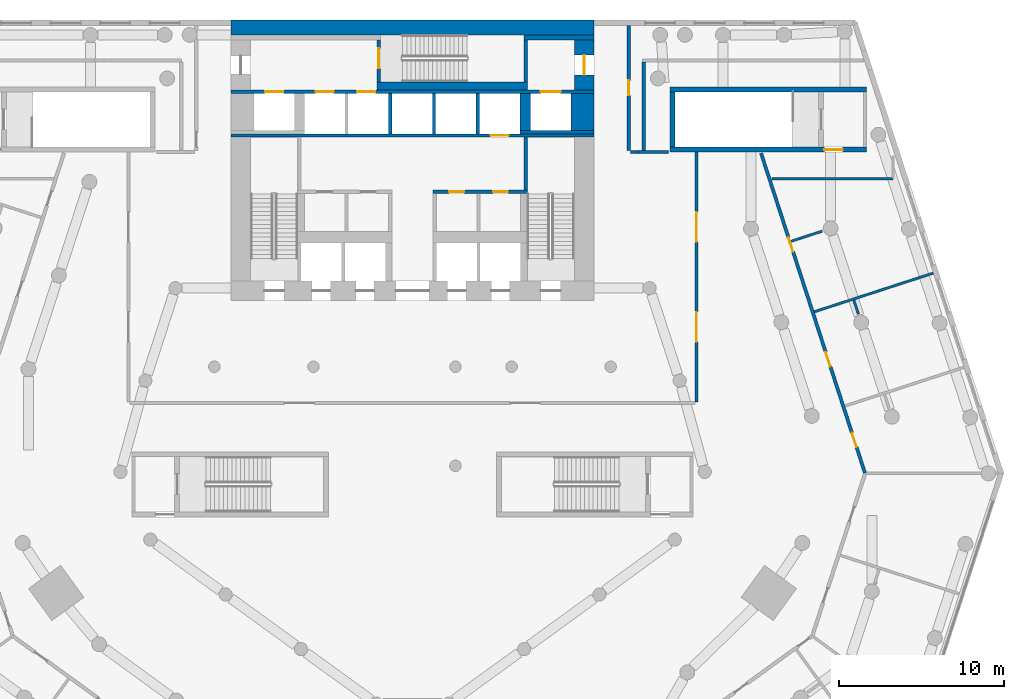
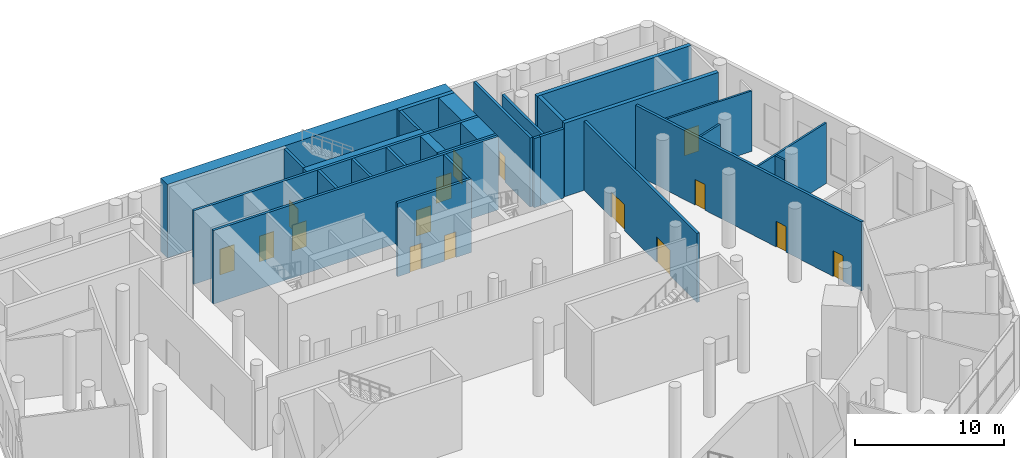
# One storey, part 14 of 19: 29 walls, 16 doors, 16 openings.
"""IFC4 building model written with IfcOpenShell, lengths in metres."""

from ifc_helpers import new_model, si_unit, direction, frame, frame_2d, origin, place, context, subcontext, project, spatial, rectangle, extrude, material, layer, layer_set, type_object, element, fill, save


model = new_model("IFC4")

# Units and contexts
model_context = context("Model", 3, precision=1e-05, world=origin(), true_north=direction((0.0, 1.0)))
body_context = subcontext(model_context, "Body", "Model", "MODEL_VIEW")
ifc_project = project(units=[si_unit("LENGTHUNIT", "METRE"), si_unit("AREAUNIT", "SQUARE_METRE"), si_unit("VOLUMEUNIT", "CUBIC_METRE"), si_unit("PLANEANGLEUNIT", "RADIAN"), si_unit("MASSUNIT", "GRAM", prefix="KILO")], contexts=[model_context])

# Site, building, storey
site_placement = place(None, origin())
site = spatial("IfcSite", under=ifc_project, at=site_placement, CompositionType="ELEMENT")
building_placement = place(site_placement, origin())
building = spatial("IfcBuilding", under=site, at=building_placement, Name="White Candle Pilgrim Tower", CompositionType="ELEMENT")
storey_placement = place(building_placement, frame((0.0, 0.0, 23.0)))
storey = spatial("IfcBuildingStorey", under=building, at=storey_placement, Name="L03", CompositionType="ELEMENT", Elevation=23.0)

# Wall
ifc_material_1 = material(Name="Autoclaved aerated block D500, plastered")
ifc_layer_1 = layer(ifc_material_1, 0.199951171875)
ifc_layer_set_1 = layer_set([ifc_layer_1], Name="Compartment wall 200 mm REI 240")
wall_type_1 = type_object("IfcWallType", Name="Compartment wall 200 mm REI 240", PredefinedType="PARTITIONING", material=ifc_layer_set_1)
wall_1_placement = place(storey_placement, frame((83.6669921875, 80.0, 0.0), z_axis=(0.0, 0.0, 1.0), x_axis=(1.0, 0.0, 0.0)))
element("IfcWall", 1, at=wall_1_placement, inside=storey, type_object=wall_type_1, Name="WL-L03-P067", PredefinedType="PARTITIONING", context=body_context, shape_type="SweptSolid", body=[
    extrude(rectangle(XDim=1.833984375, YDim=0.199951171875, at=frame_2d((0.9169921875, 0.0))), origin(), (0.0, 0.0, 1.0), 5.64990234375),
])

# Wall, openings, doors
wall_2_placement = place(storey_placement, frame((87.199951171875, 80.0, 0.0), z_axis=(0.0, 0.0, 1.0), x_axis=(0.0, -1.0, 0.0)))
wall_2 = element("IfcWall", 2, at=wall_2_placement, inside=storey, type_object=wall_type_1, Name="WL-L03-P033", PredefinedType="PARTITIONING", context=body_context, shape_type="SweptSolid", body=[
    extrude(rectangle(XDim=15.125, YDim=0.199951171875, at=frame_2d((7.5625, 0.0))), origin(), (0.0, 0.0, 1.0), 5.64990234375),
])
opening_1_placement = place(wall_2_placement, frame((3.637451171875, 0.0, 0.0)))
opening_1 = element("IfcOpeningElement", 3, at=opening_1_placement, cuts=wall_2, Name="Opening L03-120", PredefinedType="OPENING", context=body_context, shape_type="SweptSolid", body=[
    extrude(rectangle(XDim=1.800048828125, YDim=2.10009765625, at=frame_2d((0.89990234375, 1.050048828125))), frame((0.0, 0.10986328125, 0.0), z_axis=(0.0, -1.0, 0.0), x_axis=(1.0, 0.0, 0.0)), (0.0, 0.0, 1.0), 0.219970703125),
])
opening_2_placement = place(wall_2_placement, frame((9.6875, 0.0, 0.0)))
opening_2 = element("IfcOpeningElement", 4, at=opening_2_placement, cuts=wall_2, Name="Opening L03-121", PredefinedType="OPENING", context=body_context, shape_type="SweptSolid", body=[
    extrude(rectangle(XDim=1.800048828125, YDim=2.10009765625, at=frame_2d((0.89990234375, 1.050048828125))), frame((0.0, 0.10986328125, 0.0), z_axis=(0.0, -1.0, 0.0), x_axis=(1.0, 0.0, 0.0)), (0.0, 0.0, 1.0), 0.219970703125),
])
ifc_material_2 = material(Name="Steel door leaf", Category="steel")
door_type_1 = type_object("IfcDoorType", Name="Compartment door 1800 x 2100 EI 60", OperationType="NOTDEFINED", PredefinedType="DOOR", material=ifc_material_2)
door_1_placement = place(opening_1_placement, origin())
door_1 = element("IfcDoor", 5, at=door_1_placement, inside=storey, type_object=door_type_1, Name="Door L03-120", OperationType="DOUBLE_DOOR_SINGLE_SWING", OverallHeight=2.10009765625, OverallWidth=1.800048828125, PredefinedType="DOOR", context=body_context, shape_type="SweptSolid", body=[
    extrude(rectangle(XDim=1.800048828125, YDim=2.10009765625, at=frame_2d((0.89990234375, 1.050048828125))), frame((0.0, 0.02490234375, 0.0), z_axis=(0.0, -1.0, 0.0), x_axis=(1.0, 0.0, 0.0)), (0.0, 0.0, 1.0), 0.050048828125),
])
fill(opening_1, door_1)
door_2_placement = place(opening_2_placement, origin())
door_2 = element("IfcDoor", 6, at=door_2_placement, inside=storey, type_object=door_type_1, Name="Door L03-121", OperationType="DOUBLE_DOOR_SINGLE_SWING", OverallHeight=2.10009765625, OverallWidth=1.800048828125, PredefinedType="DOOR", context=body_context, shape_type="SweptSolid", body=[
    extrude(rectangle(XDim=1.800048828125, YDim=2.10009765625, at=frame_2d((0.89990234375, 1.050048828125))), frame((0.0, 0.02490234375, 0.0), z_axis=(0.0, -1.0, 0.0), x_axis=(1.0, 0.0, 0.0)), (0.0, 0.0, 1.0), 0.050048828125),
])
fill(opening_2, door_2)

# Wall
wall_3_placement = place(storey_placement, frame((84.0, 85.449951171875, 0.0), z_axis=(0.0, 0.0, 1.0), x_axis=(0.0, -1.0, 0.0)))
element("IfcWall", 7, at=wall_3_placement, inside=storey, type_object=wall_type_1, Name="WL-L03-P060", PredefinedType="PARTITIONING", context=body_context, shape_type="SweptSolid", body=[
    extrude(rectangle(XDim=5.349853515625, YDim=0.199951171875, at=frame_2d((2.6748046875, 0.0))), origin(), (0.0, 0.0, 1.0), 5.64990234375),
])

# Wall, opening, door
ifc_material_3 = material(Name="Concrete C70/85", Category="concrete")
ifc_layer_2 = layer(ifc_material_3, 1.199951171875)
ifc_layer_set_2 = layer_set([ifc_layer_2], Name="Core wall 1200 mm Concrete C70/85")
wall_type_2 = type_object("IfcWallType", Name="Core wall 1200 mm Concrete C70/85", PredefinedType="SHEAR", material=ifc_layer_set_2)
wall_4_placement = place(storey_placement, frame((80.39990234375, 83.75, 0.0), z_axis=(0.0, 0.0, 1.0), x_axis=(0.0, 1.0, 0.0)))
wall_4 = element("IfcWall", 8, at=wall_4_placement, inside=storey, type_object=wall_type_2, Name="WL-L03-C66", PredefinedType="SHEAR", context=body_context, shape_type="SweptSolid", body=[
    extrude(rectangle(XDim=3.050048828125, YDim=1.199951171875, at=frame_2d((1.52490234375, 0.0))), origin(), (0.0, 0.0, 1.0), 6.0),
])
opening_3_placement = place(wall_4_placement, frame((0.925048828125, 0.0, 0.0)))
opening_3 = element("IfcOpeningElement", 9, at=opening_3_placement, cuts=wall_4, Name="Opening L03-006", PredefinedType="OPENING", context=body_context, shape_type="SweptSolid", body=[
    extrude(rectangle(XDim=1.199951171875, YDim=2.10009765625, at=frame_2d((0.60009765625, 1.050048828125))), frame((0.0, 0.60986328125, 0.0), z_axis=(0.0, -1.0, 0.0), x_axis=(1.0, 0.0, 0.0)), (0.0, 0.0, 1.0), 1.219970703125),
])
door_type_2 = type_object("IfcDoorType", Name="Fire door 1200 x 2100 EI 30", OperationType="NOTDEFINED", PredefinedType="DOOR", material=ifc_material_2)
door_3_placement = place(opening_3_placement, origin())
door_3 = element("IfcDoor", 10, at=door_3_placement, inside=storey, type_object=door_type_2, Name="Door L03-006", OperationType="SINGLE_SWING_RIGHT", OverallHeight=2.10009765625, OverallWidth=1.199951171875, PredefinedType="DOOR", context=body_context, shape_type="SweptSolid", body=[
    extrude(rectangle(XDim=1.199951171875, YDim=2.10009765625, at=frame_2d((0.60009765625, 1.050048828125))), frame((0.0, 0.02490234375, 0.0), z_axis=(0.0, -1.0, 0.0), x_axis=(1.0, 0.0, 0.0)), (0.0, 0.0, 1.0), 0.050048828125),
])
fill(opening_3, door_3)

# Walls
ifc_layer_3 = layer(ifc_material_3, 1.39990234375)
ifc_layer_set_3 = layer_set([ifc_layer_3], Name="Core wall 1400 mm Concrete C70/85")
wall_type_3 = type_object("IfcWallType", Name="Core wall 1400 mm Concrete C70/85", PredefinedType="SHEAR", material=ifc_layer_set_3)
wall_5_placement = place(storey_placement, frame((80.300048828125, 81.300048828125, 0.0), z_axis=(0.0, 0.0, 1.0), x_axis=(0.0, 1.0, 0.0)))
element("IfcWall", 11, at=wall_5_placement, inside=storey, type_object=wall_type_3, Name="WL-L03-C60", PredefinedType="SHEAR", context=body_context, shape_type="SweptSolid", body=[
    extrude(rectangle(XDim=2.25, YDim=1.39990234375, at=frame_2d((1.125, 0.0))), origin(), (0.0, 0.0, 1.0), 6.0),
])
ifc_layer_4 = layer(ifc_material_3, 0.199951171875)
ifc_layer_set_4 = layer_set([ifc_layer_4], Name="Core wall 200 mm Concrete C70/85")
wall_type_4 = type_object("IfcWallType", Name="Core wall 200 mm Concrete C70/85", PredefinedType="SHEAR", material=ifc_layer_set_4)
wall_6_placement = place(storey_placement, frame((76.5, 81.199951171875, 0.0), z_axis=(0.0, 0.0, 1.0), x_axis=(1.0, 0.0, 0.0)))
element("IfcWall", 12, at=wall_6_placement, inside=storey, type_object=wall_type_4, Name="WL-L03-C56", PredefinedType="SHEAR", context=body_context, shape_type="SweptSolid", body=[
    extrude(rectangle(XDim=4.5, YDim=0.199951171875, at=frame_2d((2.25, 0.0))), origin(), (0.0, 0.0, 1.0), 6.0),
])

# Wall, openings, doors
wall_7_placement = place(storey_placement, frame((59.0, 83.64990234375, 0.0), z_axis=(0.0, 0.0, 1.0), x_axis=(1.0, 0.0, 0.0)))
wall_7 = element("IfcWall", 13, at=wall_7_placement, inside=storey, type_object=wall_type_4, Name="WL-L03-C61", PredefinedType="SHEAR", context=body_context, shape_type="SweptSolid", body=[
    extrude(rectangle(XDim=22.0, YDim=0.199951171875, at=frame_2d((11.0, 0.0))), origin(), (0.0, 0.0, 1.0), 6.0),
])
opening_4_placement = place(wall_7_placement, frame((5.125, 0.0, 0.0)))
opening_4 = element("IfcOpeningElement", 14, at=opening_4_placement, cuts=wall_7, Name="Opening L03-019", PredefinedType="OPENING", context=body_context, shape_type="SweptSolid", body=[
    extrude(rectangle(XDim=1.10009765625, YDim=2.10009765625, at=frame_2d((0.550048828125, 1.050048828125))), frame((0.0, 0.10986328125, 0.0), z_axis=(0.0, -1.0, 0.0), x_axis=(1.0, 0.0, 0.0)), (0.0, 0.0, 1.0), 0.219970703125),
])
opening_5_placement = place(wall_7_placement, frame((7.64990234375, 0.0, 0.0)))
opening_5 = element("IfcOpeningElement", 15, at=opening_5_placement, cuts=wall_7, Name="Opening L03-020", PredefinedType="OPENING", context=body_context, shape_type="SweptSolid", body=[
    extrude(rectangle(XDim=1.10009765625, YDim=2.10009765625, at=frame_2d((0.550048828125, 1.050048828125))), frame((0.0, 0.10986328125, 0.0), z_axis=(0.0, -1.0, 0.0), x_axis=(1.0, 0.0, 0.0)), (0.0, 0.0, 1.0), 0.219970703125),
])
opening_6_placement = place(wall_7_placement, frame((18.77490234375, 0.0, 0.0)))
opening_6 = element("IfcOpeningElement", 16, at=opening_6_placement, cuts=wall_7, Name="Opening L03-026", PredefinedType="OPENING", context=body_context, shape_type="SweptSolid", body=[
    extrude(rectangle(XDim=1.199951171875, YDim=2.10009765625, at=frame_2d((0.60009765625, 1.050048828125))), frame((0.0, 0.10986328125, 0.0), z_axis=(0.0, -1.0, 0.0), x_axis=(1.0, 0.0, 0.0)), (0.0, 0.0, 1.0), 0.219970703125),
])
opening_7_placement = place(wall_7_placement, frame((2.074951171875, 0.0, 0.0)))
opening_7 = element("IfcOpeningElement", 17, at=opening_7_placement, cuts=wall_7, Name="Opening L03-027", PredefinedType="OPENING", context=body_context, shape_type="SweptSolid", body=[
    extrude(rectangle(XDim=1.10009765625, YDim=2.10009765625, at=frame_2d((0.550048828125, 1.050048828125))), frame((0.0, 0.10986328125, 0.0), z_axis=(0.0, -1.0, 0.0), x_axis=(1.0, 0.0, 0.0)), (0.0, 0.0, 1.0), 0.219970703125),
])
ifc_material_4 = material(Name="Stainless steel", Category="steel")
door_type_3 = type_object("IfcDoorType", Name="Lift landing door 1100 x 2100 EI 60", OperationType="DOUBLE_DOOR_SLIDING", PredefinedType="DOOR", material=ifc_material_4)
door_4_placement = place(opening_4_placement, origin())
door_4 = element("IfcDoor", 18, at=door_4_placement, inside=storey, type_object=door_type_3, Name="Door L03-019", OperationType="DOUBLE_DOOR_SLIDING", OverallHeight=2.10009765625, OverallWidth=1.10009765625, PredefinedType="DOOR", context=body_context, shape_type="SweptSolid", body=[
    extrude(rectangle(XDim=1.10009765625, YDim=2.10009765625, at=frame_2d((0.550048828125, 1.050048828125))), frame((0.0, 0.02490234375, 0.0), z_axis=(0.0, -1.0, 0.0), x_axis=(1.0, 0.0, 0.0)), (0.0, 0.0, 1.0), 0.050048828125),
])
fill(opening_4, door_4)
door_5_placement = place(opening_5_placement, origin())
door_5 = element("IfcDoor", 19, at=door_5_placement, inside=storey, type_object=door_type_3, Name="Door L03-020", OperationType="DOUBLE_DOOR_SLIDING", OverallHeight=2.10009765625, OverallWidth=1.10009765625, PredefinedType="DOOR", context=body_context, shape_type="SweptSolid", body=[
    extrude(rectangle(XDim=1.10009765625, YDim=2.10009765625, at=frame_2d((0.550048828125, 1.050048828125))), frame((0.0, 0.02490234375, 0.0), z_axis=(0.0, -1.0, 0.0), x_axis=(1.0, 0.0, 0.0)), (0.0, 0.0, 1.0), 0.050048828125),
])
fill(opening_5, door_5)
door_6_placement = place(opening_7_placement, origin())
door_6 = element("IfcDoor", 20, at=door_6_placement, inside=storey, type_object=door_type_3, Name="Door L03-027", OperationType="DOUBLE_DOOR_SLIDING", OverallHeight=2.10009765625, OverallWidth=1.10009765625, PredefinedType="DOOR", context=body_context, shape_type="SweptSolid", body=[
    extrude(rectangle(XDim=1.10009765625, YDim=2.10009765625, at=frame_2d((0.550048828125, 1.050048828125))), frame((0.0, 0.02490234375, 0.0), z_axis=(0.0, -1.0, 0.0), x_axis=(1.0, 0.0, 0.0)), (0.0, 0.0, 1.0), 0.050048828125),
])
fill(opening_7, door_6)
door_type_4 = type_object("IfcDoorType", Name="Lift landing door 1200 x 2100 E 60", OperationType="DOUBLE_DOOR_SLIDING", PredefinedType="DOOR", material=ifc_material_4)
door_7_placement = place(opening_6_placement, origin())
door_7 = element("IfcDoor", 21, at=door_7_placement, inside=storey, type_object=door_type_4, Name="Door L03-026", OperationType="DOUBLE_DOOR_SLIDING", OverallHeight=2.10009765625, OverallWidth=1.199951171875, PredefinedType="DOOR", context=body_context, shape_type="SweptSolid", body=[
    extrude(rectangle(XDim=1.199951171875, YDim=2.10009765625, at=frame_2d((0.60009765625, 1.050048828125))), frame((0.0, 0.02490234375, 0.0), z_axis=(0.0, -1.0, 0.0), x_axis=(1.0, 0.0, 0.0)), (0.0, 0.0, 1.0), 0.050048828125),
])
fill(opening_6, door_7)

# Wall, opening, door
ifc_material_5 = material(Name="Gypsum board on steel studs", Category="steel")
ifc_layer_5 = layer(ifc_material_5, 0.199951171875)
ifc_layer_set_5 = layer_set([ifc_layer_5], Name="Corridor wall 200 mm EI 45")
wall_type_5 = type_object("IfcWallType", Name="Corridor wall 200 mm EI 45", PredefinedType="PARTITIONING", material=ifc_layer_set_5)
wall_8_placement = place(storey_placement, frame((83.10009765625, 87.679931640625, 0.0), z_axis=(0.0, 0.0, 1.0), x_axis=(0.0, -1.0, 0.0)))
wall_8 = element("IfcWall", 22, at=wall_8_placement, inside=storey, type_object=wall_type_5, Name="WL-L03-P001", PredefinedType="PARTITIONING", context=body_context, shape_type="SweptSolid", body=[
    extrude(rectangle(XDim=7.579833984375, YDim=0.199951171875, at=frame_2d((3.7900390625, 0.0))), origin(), (0.0, 0.0, 1.0), 5.64990234375),
])
opening_8_placement = place(wall_8_placement, frame((3.340087890625, 0.0, 0.0)))
opening_8 = element("IfcOpeningElement", 23, at=opening_8_placement, cuts=wall_8, Name="Opening L03-127", PredefinedType="OPENING", context=body_context, shape_type="SweptSolid", body=[
    extrude(rectangle(XDim=0.89990234375, YDim=2.10009765625, at=frame_2d((0.449951171875, 1.050048828125))), frame((0.0, 0.10986328125, 0.0), z_axis=(0.0, -1.0, 0.0), x_axis=(1.0, 0.0, 0.0)), (0.0, 0.0, 1.0), 0.219970703125),
])
door_type_5 = type_object("IfcDoorType", Name="Fire door 900 x 2100 EI 30", OperationType="NOTDEFINED", PredefinedType="DOOR", material=ifc_material_2)
door_8_placement = place(opening_8_placement, origin())
door_8 = element("IfcDoor", 24, at=door_8_placement, inside=storey, type_object=door_type_5, Name="Door L03-127", OperationType="SINGLE_SWING_LEFT", OverallHeight=2.10009765625, OverallWidth=0.89990234375, PredefinedType="DOOR", context=body_context, shape_type="SweptSolid", body=[
    extrude(rectangle(XDim=0.89990234375, YDim=2.10009765625, at=frame_2d((0.449951171875, 1.050048828125))), frame((0.0, 0.02490234375, 0.0), z_axis=(0.0, -1.0, 0.0), x_axis=(1.0, 0.0, 0.0)), (0.0, 0.0, 1.0), 0.050048828125),
])
fill(opening_8, door_8)

# Wall
wall_9_placement = place(storey_placement, frame((83.199951171875, 80.0, 0.0), z_axis=(0.0, 0.0, 1.0), x_axis=(1.0, 0.0, 0.0)))
element("IfcWall", 25, at=wall_9_placement, inside=storey, type_object=wall_type_5, Name="WL-L03-P002", PredefinedType="PARTITIONING", context=body_context, shape_type="SweptSolid", body=[
    extrude(rectangle(XDim=0.467041015625, YDim=0.199951171875, at=frame_2d((0.2333984375, 0.0))), origin(), (0.0, 0.0, 1.0), 5.64990234375),
])

# Wall, openings, doors
ifc_layer_6 = layer(ifc_material_1, 0.199951171875)
ifc_layer_set_6 = layer_set([ifc_layer_6], Name="Hall enclosure wall 200 mm REI 240")
wall_type_6 = type_object("IfcWallType", Name="Hall enclosure wall 200 mm REI 240", PredefinedType="PARTITIONING", material=ifc_layer_set_6)
wall_10_placement = place(storey_placement, frame((91.1103515625, 79.930908203125, 0.0), z_axis=(0.0, 0.0, 1.0), x_axis=(0.309008514197, -0.95105927163, 0.0)))
wall_10 = element("IfcWall", 26, at=wall_10_placement, inside=storey, type_object=wall_type_6, Name="WL-L03-P003", PredefinedType="PARTITIONING", context=body_context, shape_type="SweptSolid", body=[
    extrude(rectangle(XDim=20.357177734375, YDim=0.199951171875, at=frame_2d((10.1787109375, 0.0))), origin(), (0.0, 0.0, 1.0), 5.64990234375),
])
opening_9_placement = place(wall_10_placement, frame((17.80859375, 0.0, 0.0)))
opening_9 = element("IfcOpeningElement", 27, at=opening_9_placement, cuts=wall_10, Name="Opening L03-117", PredefinedType="OPENING", context=body_context, shape_type="SweptSolid", body=[
    extrude(rectangle(XDim=0.89990234375, YDim=2.10009765625, at=frame_2d((0.449951171875, 1.050048828125))), frame((0.0, 0.10986328125, 0.0), z_axis=(0.0, -1.0, 0.0), x_axis=(1.0, 0.0, 0.0)), (0.0, 0.0, 1.0), 0.219970703125),
])
opening_10_placement = place(wall_10_placement, frame((12.677734375, 0.0, 0.0)))
opening_10 = element("IfcOpeningElement", 28, at=opening_10_placement, cuts=wall_10, Name="Opening L03-118", PredefinedType="OPENING", context=body_context, shape_type="SweptSolid", body=[
    extrude(rectangle(XDim=0.89990234375, YDim=2.10009765625, at=frame_2d((0.449951171875, 1.050048828125))), frame((0.0, 0.10986328125, 0.0), z_axis=(0.0, -1.0, 0.0), x_axis=(1.0, 0.0, 0.0)), (0.0, 0.0, 1.0), 0.219970703125),
])
opening_11_placement = place(wall_10_placement, frame((5.36865234375, 0.0, 0.0)))
opening_11 = element("IfcOpeningElement", 29, at=opening_11_placement, cuts=wall_10, Name="Opening L03-119", PredefinedType="OPENING", context=body_context, shape_type="SweptSolid", body=[
    extrude(rectangle(XDim=0.89990234375, YDim=2.10009765625, at=frame_2d((0.449951171875, 1.050048828125))), frame((0.0, 0.10986328125, 0.0), z_axis=(0.0, -1.0, 0.0), x_axis=(1.0, 0.0, 0.0)), (0.0, 0.0, 1.0), 0.219970703125),
])
door_type_6 = type_object("IfcDoorType", Name="Fire door 900 x 2100 EI 60", OperationType="NOTDEFINED", PredefinedType="DOOR", material=ifc_material_2)
door_9_placement = place(opening_9_placement, origin())
door_9 = element("IfcDoor", 30, at=door_9_placement, inside=storey, type_object=door_type_6, Name="Door L03-117", OperationType="SINGLE_SWING_LEFT", OverallHeight=2.10009765625, OverallWidth=0.89990234375, PredefinedType="DOOR", context=body_context, shape_type="SweptSolid", body=[
    extrude(rectangle(XDim=0.89990234375, YDim=2.10009765625, at=frame_2d((0.449951171875, 1.050048828125))), frame((0.0, 0.02490234375, 0.0), z_axis=(0.0, -1.0, 0.0), x_axis=(1.0, 0.0, 0.0)), (0.0, 0.0, 1.0), 0.050048828125),
])
fill(opening_9, door_9)
door_10_placement = place(opening_10_placement, origin())
door_10 = element("IfcDoor", 31, at=door_10_placement, inside=storey, type_object=door_type_6, Name="Door L03-118", OperationType="SINGLE_SWING_RIGHT", OverallHeight=2.10009765625, OverallWidth=0.89990234375, PredefinedType="DOOR", context=body_context, shape_type="SweptSolid", body=[
    extrude(rectangle(XDim=0.89990234375, YDim=2.10009765625, at=frame_2d((0.449951171875, 1.050048828125))), frame((0.0, 0.02490234375, 0.0), z_axis=(0.0, -1.0, 0.0), x_axis=(1.0, 0.0, 0.0)), (0.0, 0.0, 1.0), 0.050048828125),
])
fill(opening_10, door_10)
door_11_placement = place(opening_11_placement, origin())
door_11 = element("IfcDoor", 32, at=door_11_placement, inside=storey, type_object=door_type_6, Name="Door L03-119", OperationType="SINGLE_SWING_LEFT", OverallHeight=2.10009765625, OverallWidth=0.89990234375, PredefinedType="DOOR", context=body_context, shape_type="SweptSolid", body=[
    extrude(rectangle(XDim=0.89990234375, YDim=2.10009765625, at=frame_2d((0.449951171875, 1.050048828125))), frame((0.0, 0.02490234375, 0.0), z_axis=(0.0, -1.0, 0.0), x_axis=(1.0, 0.0, 0.0)), (0.0, 0.0, 1.0), 0.050048828125),
])
fill(opening_11, door_11)

# Walls
ifc_layer_7 = layer(ifc_material_5, 0.14990234375)
ifc_layer_set_7 = layer_set([ifc_layer_7], Name="Partition 150 mm EI 60")
wall_type_7 = type_object("IfcWallType", Name="Partition 150 mm EI 60", PredefinedType="PARTITIONING", material=ifc_layer_set_7)
wall_11_placement = place(storey_placement, frame((101.544189453125, 72.672119140625, 0.0), z_axis=(0.0, 0.0, 1.0), x_axis=(-0.951052291841, -0.309029995605, 0.0)))
element("IfcWall", 33, at=wall_11_placement, inside=storey, type_object=wall_type_7, Name="WL-L03-P032", PredefinedType="PARTITIONING", context=body_context, shape_type="SweptSolid", body=[
    extrude(rectangle(XDim=7.580322265625, YDim=0.14990234375, at=frame_2d((3.7900390625, 0.0))), origin(), (0.0, 0.0, 1.0), 4.949951171875),
])
wall_12_placement = place(storey_placement, frame((97.0048828125, 70.18798828125, 0.0), z_axis=(0.0, 0.0, 1.0), x_axis=(-0.309017445354, 0.951056369763, 0.0)))
element("IfcWall", 34, at=wall_12_placement, inside=storey, type_object=wall_type_7, Name="WL-L03-P046", PredefinedType="PARTITIONING", context=body_context, shape_type="SweptSolid", body=[
    extrude(rectangle(XDim=0.884765625, YDim=0.14990234375, at=frame_2d((0.4423828125, 0.0))), origin(), (0.0, 0.0, 1.0), 4.949951171875),
])
wall_13_placement = place(storey_placement, frame((94.809814453125, 75.2109375, 0.0), z_axis=(0.0, 0.0, 1.0), x_axis=(-0.951047798727, -0.309043823005, 0.0)))
element("IfcWall", 35, at=wall_13_placement, inside=storey, type_object=wall_type_7, Name="WL-L03-P047", PredefinedType="PARTITIONING", context=body_context, shape_type="SweptSolid", body=[
    extrude(rectangle(XDim=1.9599609375, YDim=0.14990234375, at=frame_2d((0.97998046875, 0.0))), origin(), (0.0, 0.0, 1.0), 5.64990234375),
])
wall_14_placement = place(storey_placement, frame((91.77587890625, 78.39990234375, 0.0), z_axis=(0.0, 0.0, 1.0), x_axis=(1.0, 0.0, 0.0)))
element("IfcWall", 36, at=wall_14_placement, inside=storey, type_object=wall_type_7, Name="WL-L03-P062", PredefinedType="PARTITIONING", context=body_context, shape_type="SweptSolid", body=[
    extrude(rectangle(XDim=7.32421875, YDim=0.14990234375, at=frame_2d((3.662109375, 0.0))), origin(), (0.0, 0.0, 1.0), 4.949951171875),
])
ifc_layer_8 = layer(ifc_material_3, 0.199951171875)
ifc_layer_set_8 = layer_set([ifc_layer_8], Name="Shaft wall 200 mm Concrete C70/85")
wall_type_8 = type_object("IfcWallType", Name="Shaft wall 200 mm Concrete C70/85", PredefinedType="SHEAR", material=ifc_layer_set_8)
for number, where, z_axis, x_axis, name in (
    (37, (68.64990234375, 81.10009765625, 0.0), (0.0, 0.0, 1.0), (0.0, 1.0, 0.0), "WL-L03-C53"),
    (38, (71.300048828125, 81.10009765625, 0.0), (0.0, 0.0, 1.0), (0.0, 1.0, 0.0), "WL-L03-C54"),
    (39, (73.949951171875, 81.10009765625, 0.0), (0.0, 0.0, 1.0), (0.0, 1.0, 0.0), "WL-L03-C55"),
):
    element("IfcWall", number, at=place(storey_placement, frame(where, z_axis=z_axis, x_axis=x_axis)), inside=storey, type_object=wall_type_8, Name=name, PredefinedType="SHEAR", context=body_context, shape_type="SweptSolid", body=[
        extrude(rectangle(XDim=2.449951171875, YDim=0.199951171875, at=frame_2d((1.22509765625, 0.0))), origin(), (0.0, 0.0, 1.0), 6.0),
    ])
ifc_layer_9 = layer(ifc_material_3, 0.64990234375)
ifc_layer_set_9 = layer_set([ifc_layer_9], Name="Shaft wall 650 mm Concrete C70/85")
wall_type_9 = type_object("IfcWallType", Name="Shaft wall 650 mm Concrete C70/85", PredefinedType="SHEAR", material=ifc_layer_set_9)
wall_15_placement = place(storey_placement, frame((76.824951171875, 81.300048828125, 0.0), z_axis=(0.0, 0.0, 1.0), x_axis=(0.0, 1.0, 0.0)))
element("IfcWall", 40, at=wall_15_placement, inside=storey, type_object=wall_type_9, Name="WL-L03-C59", PredefinedType="SHEAR", context=body_context, shape_type="SweptSolid", body=[
    extrude(rectangle(XDim=2.25, YDim=0.64990234375, at=frame_2d((1.125, 0.0))), origin(), (0.0, 0.0, 1.0), 6.0),
])

# Wall, openings, doors
ifc_layer_10 = layer(ifc_material_3, 0.199951171875)
ifc_layer_set_10 = layer_set([ifc_layer_10], Name="Stair shaft wall 200 mm Concrete C70/85")
wall_type_10 = type_object("IfcWallType", Name="Stair shaft wall 200 mm Concrete C70/85", PredefinedType="SHEAR", material=ifc_layer_set_10)
wall_16_placement = place(storey_placement, frame((71.25, 77.60009765625, 0.0), z_axis=(0.0, 0.0, 1.0), x_axis=(1.0, 0.0, 0.0)))
wall_16 = element("IfcWall", 41, at=wall_16_placement, inside=storey, type_object=wall_type_10, Name="WL-L03-C39", PredefinedType="SHEAR", context=body_context, shape_type="SweptSolid", body=[
    extrude(rectangle(XDim=5.699951171875, YDim=0.199951171875, at=frame_2d((2.85009765625, 0.0))), origin(), (0.0, 0.0, 1.0), 6.0),
])
opening_12_placement = place(wall_16_placement, frame((0.97509765625, 0.0, 0.0)))
opening_12 = element("IfcOpeningElement", 42, at=opening_12_placement, cuts=wall_16, Name="Opening L03-030", PredefinedType="OPENING", context=body_context, shape_type="SweptSolid", body=[
    extrude(rectangle(XDim=0.89990234375, YDim=2.10009765625, at=frame_2d((0.449951171875, 1.050048828125))), frame((0.0, 0.10986328125, 0.0), z_axis=(0.0, -1.0, 0.0), x_axis=(1.0, 0.0, 0.0)), (0.0, 0.0, 1.0), 0.219970703125),
])
opening_13_placement = place(wall_16_placement, frame((3.625, 0.0, 0.0)))
opening_13 = element("IfcOpeningElement", 43, at=opening_13_placement, cuts=wall_16, Name="Opening L03-031", PredefinedType="OPENING", context=body_context, shape_type="SweptSolid", body=[
    extrude(rectangle(XDim=0.89990234375, YDim=2.10009765625, at=frame_2d((0.449951171875, 1.050048828125))), frame((0.0, 0.10986328125, 0.0), z_axis=(0.0, -1.0, 0.0), x_axis=(1.0, 0.0, 0.0)), (0.0, 0.0, 1.0), 0.219970703125),
])
door_12_placement = place(opening_12_placement, origin())
door_12 = element("IfcDoor", 44, at=door_12_placement, inside=storey, type_object=door_type_5, Name="Door L03-030", OperationType="SINGLE_SWING_RIGHT", OverallHeight=2.10009765625, OverallWidth=0.89990234375, PredefinedType="DOOR", context=body_context, shape_type="SweptSolid", body=[
    extrude(rectangle(XDim=0.89990234375, YDim=2.10009765625, at=frame_2d((0.449951171875, 1.050048828125))), frame((0.0, 0.02490234375, 0.0), z_axis=(0.0, -1.0, 0.0), x_axis=(1.0, 0.0, 0.0)), (0.0, 0.0, 1.0), 0.050048828125),
])
fill(opening_12, door_12)
door_13_placement = place(opening_13_placement, origin())
door_13 = element("IfcDoor", 45, at=door_13_placement, inside=storey, type_object=door_type_5, Name="Door L03-031", OperationType="SINGLE_SWING_LEFT", OverallHeight=2.10009765625, OverallWidth=0.89990234375, PredefinedType="DOOR", context=body_context, shape_type="SweptSolid", body=[
    extrude(rectangle(XDim=0.89990234375, YDim=2.10009765625, at=frame_2d((0.449951171875, 1.050048828125))), frame((0.0, 0.02490234375, 0.0), z_axis=(0.0, -1.0, 0.0), x_axis=(1.0, 0.0, 0.0)), (0.0, 0.0, 1.0), 0.050048828125),
])
fill(opening_13, door_13)

# Wall
wall_17_placement = place(storey_placement, frame((76.85009765625, 77.699951171875, 0.0), z_axis=(0.0, 0.0, 1.0), x_axis=(0.0, 1.0, 0.0)))
element("IfcWall", 46, at=wall_17_placement, inside=storey, type_object=wall_type_10, Name="WL-L03-C41", PredefinedType="SHEAR", context=body_context, shape_type="SweptSolid", body=[
    extrude(rectangle(XDim=3.199951171875, YDim=0.199951171875, at=frame_2d((1.60009765625, 0.0))), origin(), (0.0, 0.0, 1.0), 6.0),
])

# Wall, opening, door
wall_18_placement = place(storey_placement, frame((59.0, 81.0, 0.0), z_axis=(0.0, 0.0, 1.0), x_axis=(1.0, 0.0, 0.0)))
wall_18 = element("IfcWall", 47, at=wall_18_placement, inside=storey, type_object=wall_type_10, Name="WL-L03-C50", PredefinedType="SHEAR", context=body_context, shape_type="SweptSolid", body=[
    extrude(rectangle(XDim=22.0, YDim=0.199951171875, at=frame_2d((11.0, 0.0))), origin(), (0.0, 0.0, 1.0), 6.0),
])
opening_14_placement = place(wall_18_placement, frame((15.72509765625, 0.0, 0.0)))
opening_14 = element("IfcOpeningElement", 48, at=opening_14_placement, cuts=wall_18, Name="Opening L03-021", PredefinedType="OPENING", context=body_context, shape_type="SweptSolid", body=[
    extrude(rectangle(XDim=1.10009765625, YDim=2.10009765625, at=frame_2d((0.550048828125, 1.050048828125))), frame((0.0, 0.10986328125, 0.0), z_axis=(0.0, -1.0, 0.0), x_axis=(1.0, 0.0, 0.0)), (0.0, 0.0, 1.0), 0.219970703125),
])
door_type_7 = type_object("IfcDoorType", Name="Lift landing door 1100 x 2100 E 60", OperationType="DOUBLE_DOOR_SLIDING", PredefinedType="DOOR", material=ifc_material_4)
door_14_placement = place(opening_14_placement, origin())
door_14 = element("IfcDoor", 49, at=door_14_placement, inside=storey, type_object=door_type_7, Name="Door L03-021", OperationType="DOUBLE_DOOR_SLIDING", OverallHeight=2.10009765625, OverallWidth=1.10009765625, PredefinedType="DOOR", context=body_context, shape_type="SweptSolid", body=[
    extrude(rectangle(XDim=1.10009765625, YDim=2.10009765625, at=frame_2d((0.550048828125, 1.050048828125))), frame((0.0, 0.02490234375, 0.0), z_axis=(0.0, -1.0, 0.0), x_axis=(1.0, 0.0, 0.0)), (0.0, 0.0, 1.0), 0.050048828125),
])
fill(opening_14, door_14)

wall_19_placement = place(storey_placement, frame((67.949951171875, 84.25, 0.0), z_axis=(0.0, 0.0, 1.0), x_axis=(0.0, 1.0, 0.0)))
wall_19 = element("IfcWall", 50, at=wall_19_placement, inside=storey, type_object=wall_type_10, Name="WL-L03-C67", PredefinedType="SHEAR", context=body_context, shape_type="SweptSolid", body=[
    extrude(rectangle(XDim=2.550048828125, YDim=0.199951171875, at=frame_2d((1.27490234375, 0.0))), origin(), (0.0, 0.0, 1.0), 6.0),
])
opening_15_placement = place(wall_19_placement, frame((0.824951171875, 0.0, 0.0)))
opening_15 = element("IfcOpeningElement", 51, at=opening_15_placement, cuts=wall_19, Name="Opening L03-003", PredefinedType="OPENING", context=body_context, shape_type="SweptSolid", body=[
    extrude(rectangle(XDim=1.199951171875, YDim=2.10009765625, at=frame_2d((0.60009765625, 1.050048828125))), frame((0.0, 0.10986328125, 0.0), z_axis=(0.0, -1.0, 0.0), x_axis=(1.0, 0.0, 0.0)), (0.0, 0.0, 1.0), 0.219970703125),
])
door_type_8 = type_object("IfcDoorType", Name="Fire door 1200 x 2100 EI 60", OperationType="NOTDEFINED", PredefinedType="DOOR", material=ifc_material_2)
door_15_placement = place(opening_15_placement, frame((1.199951171875, 0.0, 0.0), z_axis=(0.0, 0.0, 1.0), x_axis=(-1.0, 0.0, 0.0)))
door_15 = element("IfcDoor", 52, at=door_15_placement, inside=storey, type_object=door_type_8, Name="Door L03-003", OperationType="SINGLE_SWING_RIGHT", OverallHeight=2.10009765625, OverallWidth=1.199951171875, PredefinedType="DOOR", context=body_context, shape_type="SweptSolid", body=[
    extrude(rectangle(XDim=1.199951171875, YDim=2.10009765625, at=frame_2d((0.60009765625, 1.050048828125))), frame((0.0, 0.02490234375, 0.0), z_axis=(0.0, -1.0, 0.0), x_axis=(1.0, 0.0, 0.0)), (0.0, 0.0, 1.0), 0.050048828125),
])
fill(opening_15, door_15)

# Wall
wall_20_placement = place(storey_placement, frame((76.85009765625, 84.25, 0.0), z_axis=(0.0, 0.0, 1.0), x_axis=(0.0, 1.0, 0.0)))
element("IfcWall", 53, at=wall_20_placement, inside=storey, type_object=wall_type_10, Name="WL-L03-C68", PredefinedType="SHEAR", context=body_context, shape_type="SweptSolid", body=[
    extrude(rectangle(XDim=2.550048828125, YDim=0.199951171875, at=frame_2d((1.27490234375, 0.0))), origin(), (0.0, 0.0, 1.0), 6.0),
])

# Wall, opening, door
ifc_layer_11 = layer(ifc_material_3, 0.300048828125)
ifc_layer_set_11 = layer_set([ifc_layer_11], Name="Stair shaft wall 300 mm Concrete C70/85")
wall_type_11 = type_object("IfcWallType", Name="Stair shaft wall 300 mm Concrete C70/85", PredefinedType="SHEAR", material=ifc_layer_set_11)
wall_21_placement = place(storey_placement, frame((85.60009765625, 80.14990234375, 0.0), z_axis=(0.0, 0.0, 1.0), x_axis=(1.0, 0.0, 0.0)))
wall_21 = element("IfcWall", 54, at=wall_21_placement, inside=storey, type_object=wall_type_11, Name="WL-L03-C43", PredefinedType="SHEAR", context=body_context, shape_type="SweptSolid", body=[
    extrude(rectangle(XDim=11.89990234375, YDim=0.300048828125, at=frame_2d((5.949951171875, 0.0))), origin(), (0.0, 0.0, 1.0), 6.0),
])
opening_16_placement = place(wall_21_placement, frame((9.35009765625, 0.0, 0.0)))
opening_16 = element("IfcOpeningElement", 55, at=opening_16_placement, cuts=wall_21, Name="Opening L03-017", PredefinedType="OPENING", context=body_context, shape_type="SweptSolid", body=[
    extrude(rectangle(XDim=1.10009765625, YDim=2.10009765625, at=frame_2d((0.550048828125, 1.050048828125))), frame((0.0, 0.159912109375, 0.0), z_axis=(0.0, -1.0, 0.0), x_axis=(1.0, 0.0, 0.0)), (0.0, 0.0, 1.0), 0.320068359375),
])
door_type_9 = type_object("IfcDoorType", Name="Fire door 1100 x 2100 EI 60", OperationType="NOTDEFINED", PredefinedType="DOOR", material=ifc_material_2)
door_16_placement = place(opening_16_placement, origin())
door_16 = element("IfcDoor", 56, at=door_16_placement, inside=storey, type_object=door_type_9, Name="Door L03-017", OperationType="SINGLE_SWING_LEFT", OverallHeight=2.10009765625, OverallWidth=1.10009765625, PredefinedType="DOOR", context=body_context, shape_type="SweptSolid", body=[
    extrude(rectangle(XDim=1.10009765625, YDim=2.10009765625, at=frame_2d((0.550048828125, 1.050048828125))), frame((0.0, 0.02490234375, 0.0), z_axis=(0.0, -1.0, 0.0), x_axis=(1.0, 0.0, 0.0)), (0.0, 0.0, 1.0), 0.050048828125),
])
fill(opening_16, door_16)

# Walls
wall_22_placement = place(storey_placement, frame((85.75, 80.300048828125, 0.0), z_axis=(0.0, 0.0, 1.0), x_axis=(0.0, 1.0, 0.0)))
element("IfcWall", 57, at=wall_22_placement, inside=storey, type_object=wall_type_11, Name="WL-L03-C47", PredefinedType="SHEAR", context=body_context, shape_type="SweptSolid", body=[
    extrude(rectangle(XDim=3.349853515625, YDim=0.300048828125, at=frame_2d((1.6748046875, 0.0))), origin(), (0.0, 0.0, 1.0), 6.0),
])
wall_23_placement = place(storey_placement, frame((85.60009765625, 83.800048828125, 0.0), z_axis=(0.0, 0.0, 1.0), x_axis=(1.0, 0.0, 0.0)))
element("IfcWall", 58, at=wall_23_placement, inside=storey, type_object=wall_type_11, Name="WL-L03-C63", PredefinedType="SHEAR", context=body_context, shape_type="SweptSolid", body=[
    extrude(rectangle(XDim=11.89990234375, YDim=0.300048828125, at=frame_2d((5.949951171875, 0.0))), origin(), (0.0, 0.0, 1.0), 6.0),
])
wall_24_placement = place(storey_placement, frame((76.75, 86.949951171875, 0.0), z_axis=(0.0, 0.0, 1.0), x_axis=(1.0, 0.0, 0.0)))
element("IfcWall", 59, at=wall_24_placement, inside=storey, type_object=wall_type_11, Name="WL-L03-C70", PredefinedType="SHEAR", context=body_context, shape_type="SweptSolid", body=[
    extrude(rectangle(XDim=4.25, YDim=0.300048828125, at=frame_2d((2.125, 0.0))), origin(), (0.0, 0.0, 1.0), 6.0),
])
ifc_layer_12 = layer(ifc_material_3, 0.5)
ifc_layer_set_12 = layer_set([ifc_layer_12], Name="Stair shaft wall 500 mm Concrete C70/85")
wall_type_12 = type_object("IfcWallType", Name="Stair shaft wall 500 mm Concrete C70/85", PredefinedType="SHEAR", material=ifc_layer_set_12)
wall_25_placement = place(storey_placement, frame((67.85009765625, 84.0, 0.0), z_axis=(0.0, 0.0, 1.0), x_axis=(1.0, 0.0, 0.0)))
element("IfcWall", 60, at=wall_25_placement, inside=storey, type_object=wall_type_12, Name="WL-L03-C65", PredefinedType="SHEAR", context=body_context, shape_type="SweptSolid", body=[
    extrude(rectangle(XDim=9.099853515625, YDim=0.5, at=frame_2d((4.5498046875, 0.0))), origin(), (0.0, 0.0, 1.0), 6.0),
])
ifc_layer_13 = layer(ifc_material_3, 0.89990234375)
ifc_layer_set_13 = layer_set([ifc_layer_13], Name="Stair shaft wall 900 mm Concrete C70/85")
wall_type_13 = type_object("IfcWallType", Name="Stair shaft wall 900 mm Concrete C70/85", PredefinedType="SHEAR", material=ifc_layer_set_13)
wall_26_placement = place(storey_placement, frame((59.0, 87.550048828125, 0.0), z_axis=(0.0, 0.0, 1.0), x_axis=(1.0, 0.0, 0.0)))
element("IfcWall", 61, at=wall_26_placement, inside=storey, type_object=wall_type_13, Name="WL-L03-C71", PredefinedType="SHEAR", context=body_context, shape_type="SweptSolid", body=[
    extrude(rectangle(XDim=22.0, YDim=0.89990234375, at=frame_2d((11.0, 0.0))), origin(), (0.0, 0.0, 1.0), 6.0),
])

save(model, "model.ifc")
